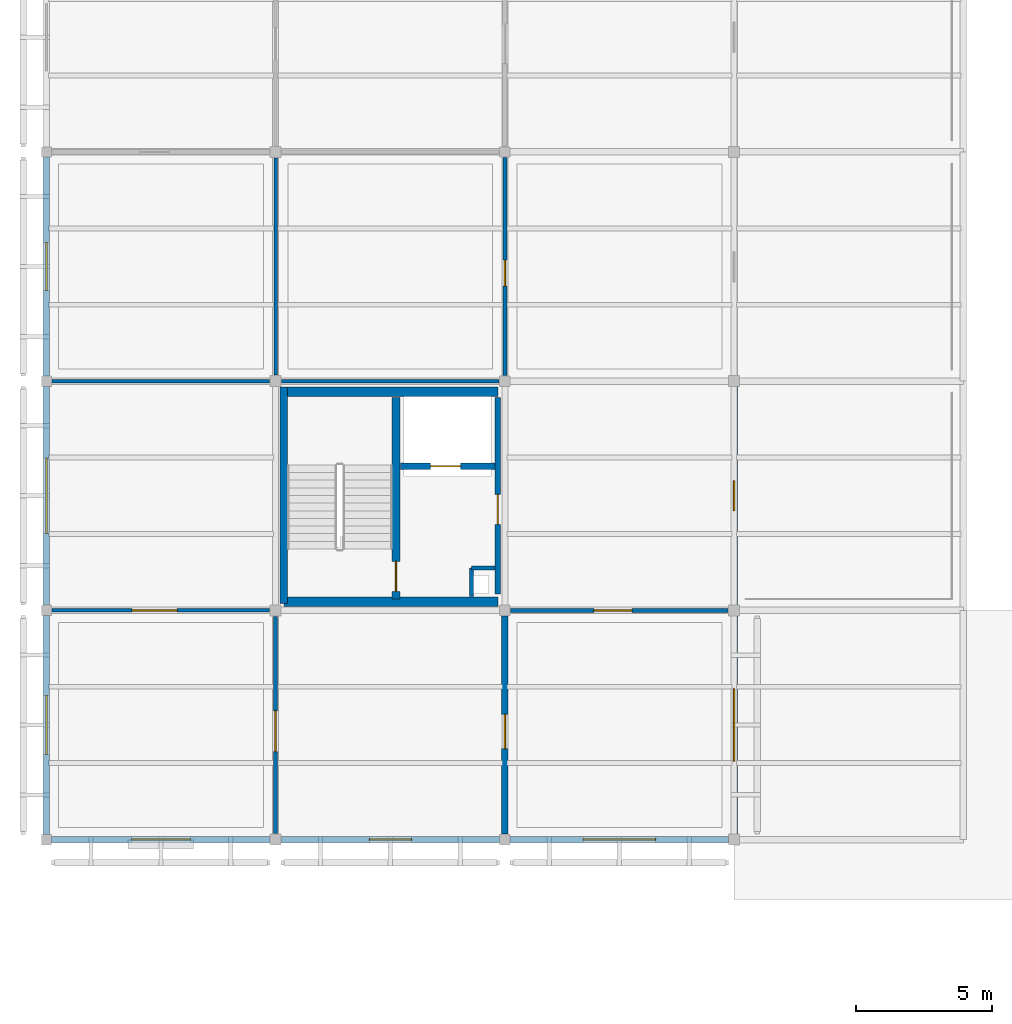
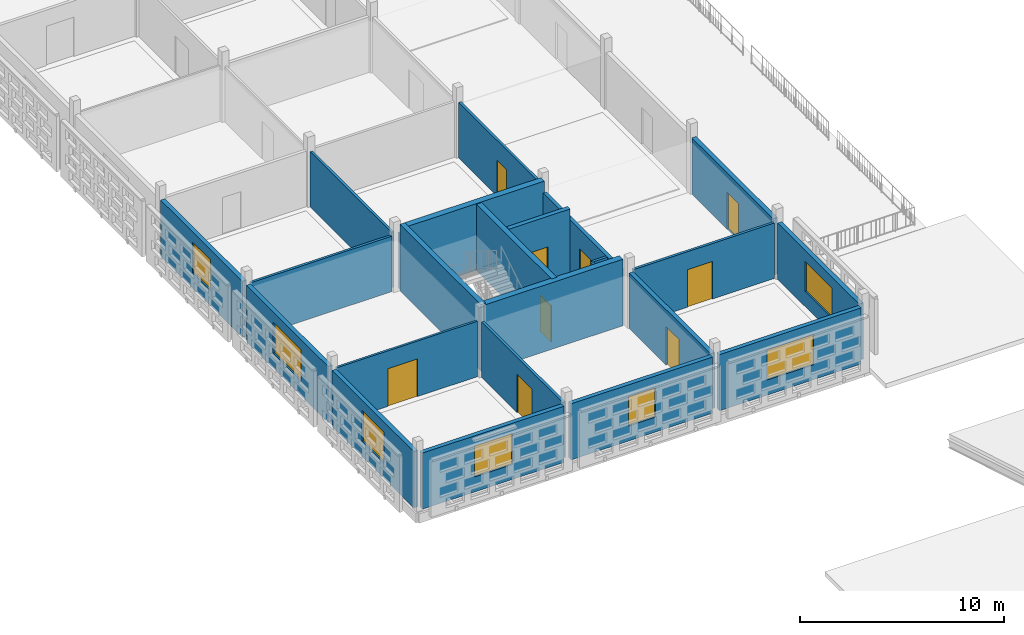
# One storey, part 18 of 31: 24 walls, 9 doors, 7 windows, 16 openings.
"""IFC4 building model written with IfcOpenShell, lengths in metres."""

from ifc_helpers import new_model, si_unit, direction, frame, frame_2d, origin, place, context, subcontext, project, spatial, rectangle, extrude, material, layer, layer_set, type_object, element, fill, save


model = new_model("IFC4")

# Units and contexts
model_context = context("Model", 3, precision=1e-05, world=origin(), true_north=direction((0.0, 1.0)))
body_context = subcontext(model_context, "Body", "Model", "MODEL_VIEW")
ifc_project = project(units=[si_unit("LENGTHUNIT", "METRE"), si_unit("AREAUNIT", "SQUARE_METRE"), si_unit("VOLUMEUNIT", "CUBIC_METRE"), si_unit("PLANEANGLEUNIT", "RADIAN"), si_unit("MASSUNIT", "GRAM", prefix="KILO")], contexts=[model_context])

# Site, building, storey
site_placement = place(None, origin())
site = spatial("IfcSite", under=ifc_project, at=site_placement, CompositionType="ELEMENT")
building_placement = place(site_placement, origin())
building = spatial("IfcBuilding", under=site, at=building_placement, Name="Varnapada Polytechnic", CompositionType="ELEMENT")
storey_placement = place(building_placement, frame((0.0, 0.0, 22.199951171875)))
storey = spatial("IfcBuildingStorey", under=building, at=storey_placement, Name="L05", CompositionType="ELEMENT", Elevation=22.199951171875)

# Wall, opening, door
ifc_material_1 = material(Name="Autoclaved Aerated Concrete Block AAC-600", Category="concrete")
ifc_layer_1 = layer(ifc_material_1, 0.199951171875)
ifc_layer_set_1 = layer_set([ifc_layer_1], Name="Autoclaved Aerated Concrete Block AAC-600")
wall_type_1 = type_object("IfcWallType", Name="Interior Wall IW-01", PredefinedType="PARTITIONING", material=ifc_layer_set_1)
wall_1_placement = place(storey_placement, frame((16.5400390625, 66.60009765625, 0.0), z_axis=(0.0, 0.0, 1.0), x_axis=(0.0, -1.0, 0.0)))
wall_1 = element("IfcWall", 1, at=wall_1_placement, inside=storey, type_object=wall_type_1, Name="L05 C2 firefighting lobby east wall", PredefinedType="PARTITIONING", context=body_context, shape_type="SweptSolid", body=[
    extrude(rectangle(XDim=7.2001953125, YDim=0.199951171875, at=frame_2d((3.60009765625, 0.0))), origin(), (0.0, 0.0, 1.0), 3.320068359375),
])
opening_1_placement = place(wall_1_placement, frame((3.550048828125, 0.0, 0.0)))
opening_1 = element("IfcOpeningElement", 2, at=opening_1_placement, cuts=wall_1, Name="Opening D-1310", PredefinedType="OPENING", context=body_context, shape_type="SweptSolid", body=[
    extrude(rectangle(XDim=1.10009765625, YDim=2.14990234375, at=frame_2d((0.550048828125, 1.074951171875))), frame((0.0, 0.10986328125, 0.0), z_axis=(0.0, -1.0, 0.0), x_axis=(1.0, 0.0, 0.0)), (0.0, 0.0, 1.0), 0.219970703125),
])
ifc_material_2 = material(Name="Galvanized Steel Z275", Category="steel")
door_type_1 = type_object("IfcDoorType", Name="Interior Door ID-01", OperationType="NOTDEFINED", PredefinedType="DOOR", material=ifc_material_2)
door_1_placement = place(opening_1_placement, frame((1.10009765625, 0.0, 0.0), z_axis=(0.0, 0.0, 1.0), x_axis=(-1.0, 0.0, 0.0)))
door_1 = element("IfcDoor", 3, at=door_1_placement, inside=storey, type_object=door_type_1, Name="L05 C2 lobby fire door D-1310", OperationType="SINGLE_SWING_RIGHT", OverallHeight=2.14990234375, OverallWidth=1.10009765625, PredefinedType="DOOR", context=body_context, shape_type="SweptSolid", body=[
    extrude(rectangle(XDim=1.10009765625, YDim=2.14990234375, at=frame_2d((0.550048828125, 1.074951171875))), frame((0.0, 0.02490234375, 0.0), z_axis=(0.0, -1.0, 0.0), x_axis=(1.0, 0.0, 0.0)), (0.0, 0.0, 1.0), 0.050048828125),
])
fill(opening_1, door_1)

# Walls
ifc_layer_2 = layer(ifc_material_1, 0.14990234375)
ifc_layer_set_2 = layer_set([ifc_layer_2], Name="Autoclaved Aerated Concrete Block AAC-600")
wall_type_2 = type_object("IfcWallType", Name="Interior Wall IW-02", PredefinedType="PARTITIONING", material=ifc_layer_set_2)
wall_2_placement = place(storey_placement, frame((15.580078125, 60.360107421875, 0.0), z_axis=(0.0, 0.0, 1.0), x_axis=(0.0, -1.0, 0.0)))
element("IfcWall", 4, at=wall_2_placement, inside=storey, type_object=wall_type_2, Name="L05 C2 riser shaft west wall", PredefinedType="PARTITIONING", context=body_context, shape_type="SweptSolid", body=[
    extrude(rectangle(XDim=1.06005859375, YDim=0.14990234375, at=frame_2d((0.530029296875, 0.0))), origin(), (0.0, 0.0, 1.0), 3.320068359375),
])
wall_3_placement = place(storey_placement, frame((15.580078125, 60.360107421875, 0.0), z_axis=(0.0, 0.0, 1.0), x_axis=(1.0, 0.0, 0.0)))
element("IfcWall", 5, at=wall_3_placement, inside=storey, type_object=wall_type_2, Name="L05 C2 riser shaft north wall", PredefinedType="PARTITIONING", context=body_context, shape_type="SweptSolid", body=[
    extrude(rectangle(XDim=0.85986328125, YDim=0.14990234375, at=frame_2d((0.429931640625, 0.0))), origin(), (0.0, 0.0, 1.0), 3.320068359375),
])

# Wall, opening, door
wall_4_placement = place(storey_placement, frame((8.39990234375, 50.6201171875, 0.0), z_axis=(0.0, 0.0, 1.0), x_axis=(0.0, 1.0, 0.0)))
wall_4 = element("IfcWall", 6, at=wall_4_placement, inside=storey, type_object=wall_type_2, Name="L05 interior partition IW-L05-00-06-V", PredefinedType="PARTITIONING", context=body_context, shape_type="SweptSolid", body=[
    extrude(rectangle(XDim=7.9599609375, YDim=0.14990234375, at=frame_2d((3.97998046875, 0.0))), origin(), (0.0, 0.0, 1.0), 3.320068359375),
])
opening_2_placement = place(wall_4_placement, frame((3.0, 0.0, 0.0)))
opening_2 = element("IfcOpeningElement", 7, at=opening_2_placement, cuts=wall_4, Name="Opening D-1314", PredefinedType="OPENING", context=body_context, shape_type="SweptSolid", body=[
    extrude(rectangle(XDim=1.5, YDim=2.300048828125, at=frame_2d((0.75, 1.14990234375))), frame((0.0, 0.0849609375, 0.0), z_axis=(0.0, -1.0, 0.0), x_axis=(1.0, 0.0, 0.0)), (0.0, 0.0, 1.0), 0.169921875),
])
door_type_2 = type_object("IfcDoorType", Name="Interior Door ID-07", OperationType="NOTDEFINED", PredefinedType="DOOR", material=ifc_material_2)
door_2_placement = place(opening_2_placement, origin())
door_2 = element("IfcDoor", 8, at=door_2_placement, inside=storey, type_object=door_type_2, Name="L05 interior room door D-1314", OperationType="SINGLE_SWING_LEFT", OverallHeight=2.300048828125, OverallWidth=1.5, PredefinedType="DOOR", context=body_context, shape_type="SweptSolid", body=[
    extrude(rectangle(XDim=1.5, YDim=2.300048828125, at=frame_2d((0.75, 1.14990234375))), frame((0.0, 0.02490234375, 0.0), z_axis=(0.0, -1.0, 0.0), x_axis=(1.0, 0.0, 0.0)), (0.0, 0.0, 1.0), 0.050048828125),
])
fill(opening_2, door_2)

ifc_material_3 = material(Name="Gypsum Plasterboard Acoustic Partition")
ifc_layer_3 = layer(ifc_material_3, 0.125)
ifc_layer_set_3 = layer_set([ifc_layer_3], Name="Gypsum Plasterboard Acoustic Partition")
wall_type_3 = type_object("IfcWallType", Name="Interior Wall IW-03", PredefinedType="PARTITIONING", material=ifc_layer_set_3)
wall_5_placement = place(storey_placement, frame((0.2099609375, 58.800048828125, 0.0), z_axis=(0.0, 0.0, 1.0), x_axis=(1.0, 0.0, 0.0)))
wall_5 = element("IfcWall", 9, at=wall_5_placement, inside=storey, type_object=wall_type_3, Name="L05 interior partition IW-L05-00-06-H", PredefinedType="PARTITIONING", context=body_context, shape_type="SweptSolid", body=[
    extrude(rectangle(XDim=7.969970703125, YDim=0.125, at=frame_2d((3.98486328125, 0.0))), origin(), (0.0, 0.0, 1.0), 3.320068359375),
])
opening_3_placement = place(wall_5_placement, frame((2.925048828125, 0.0, 0.0)))
opening_3 = element("IfcOpeningElement", 10, at=opening_3_placement, cuts=wall_5, Name="Opening D-1315", PredefinedType="OPENING", context=body_context, shape_type="SweptSolid", body=[
    extrude(rectangle(XDim=1.64990234375, YDim=2.25, at=frame_2d((0.824951171875, 1.125))), frame((0.0, 0.072509765625, 0.0), z_axis=(0.0, -1.0, 0.0), x_axis=(1.0, 0.0, 0.0)), (0.0, 0.0, 1.0), 0.14501953125),
])
ifc_material_4 = material(Name="Solid Teak Hardwood Timber", Category="wood")
door_type_3 = type_object("IfcDoorType", Name="Interior Door ID-08", OperationType="NOTDEFINED", PredefinedType="DOOR", material=ifc_material_4)
door_3_placement = place(opening_3_placement, origin())
door_3 = element("IfcDoor", 11, at=door_3_placement, inside=storey, type_object=door_type_3, Name="L05 interior room door D-1315", OperationType="SINGLE_SWING_RIGHT", OverallHeight=2.25, OverallWidth=1.64990234375, PredefinedType="DOOR", context=body_context, shape_type="SweptSolid", body=[
    extrude(rectangle(XDim=1.64990234375, YDim=2.25, at=frame_2d((0.824951171875, 1.125))), frame((0.0, 0.02490234375, 0.0), z_axis=(0.0, -1.0, 0.0), x_axis=(1.0, 0.0, 0.0)), (0.0, 0.0, 1.0), 0.050048828125),
])
fill(opening_3, door_3)

# Walls
ifc_material_5 = material(Name="Moisture-Resistant Cement Board Partition")
ifc_layer_4 = layer(ifc_material_5, 0.139892578125)
ifc_layer_set_4 = layer_set([ifc_layer_4], Name="Moisture-Resistant Cement Board Partition")
wall_type_4 = type_object("IfcWallType", Name="Interior Wall IW-04", PredefinedType="PARTITIONING", material=ifc_layer_set_4)
wall_6_placement = place(storey_placement, frame((0.2099609375, 67.199951171875, 0.0), z_axis=(0.0, 0.0, 1.0), x_axis=(1.0, 0.0, 0.0)))
element("IfcWall", 12, at=wall_6_placement, inside=storey, type_object=wall_type_4, Name="L05 interior partition IW-L05-00-07-H", PredefinedType="PARTITIONING", context=body_context, shape_type="SweptSolid", body=[
    extrude(rectangle(XDim=7.969970703125, YDim=0.139892578125, at=frame_2d((3.98486328125, 0.0))), origin(), (0.0, 0.0, 1.0), 3.320068359375),
])
wall_7_placement = place(storey_placement, frame((8.39990234375, 67.419921875, 0.0), z_axis=(0.0, 0.0, 1.0), x_axis=(0.0, 1.0, 0.0)))
element("IfcWall", 13, at=wall_7_placement, inside=storey, type_object=wall_type_4, Name="L05 interior partition IW-L05-00-08-V", PredefinedType="PARTITIONING", context=body_context, shape_type="SweptSolid", body=[
    extrude(rectangle(XDim=7.9599609375, YDim=0.139892578125, at=frame_2d((3.97998046875, 0.0))), origin(), (0.0, 0.0, 1.0), 3.320068359375),
])
wall_8_placement = place(storey_placement, frame((8.6201171875, 67.199951171875, 0.0), z_axis=(0.0, 0.0, 1.0), x_axis=(1.0, 0.0, 0.0)))
element("IfcWall", 14, at=wall_8_placement, inside=storey, type_object=wall_type_4, Name="L05 interior partition IW-L05-01-07-H", PredefinedType="PARTITIONING", context=body_context, shape_type="SweptSolid", body=[
    extrude(rectangle(XDim=7.969970703125, YDim=0.139892578125, at=frame_2d((3.98486328125, 0.0))), origin(), (0.0, 0.0, 1.0), 3.320068359375),
])

# Wall, opening, door
wall_9_placement = place(storey_placement, frame((16.800048828125, 67.409912109375, 0.0), z_axis=(0.0, 0.0, 1.0), x_axis=(0.0, 1.0, 0.0)))
wall_9 = element("IfcWall", 15, at=wall_9_placement, inside=storey, type_object=wall_type_4, Name="L05 interior partition IW-L05-01-08-V", PredefinedType="PARTITIONING", context=body_context, shape_type="SweptSolid", body=[
    extrude(rectangle(XDim=7.97998046875, YDim=0.139892578125, at=frame_2d((3.989990234375, 0.0))), origin(), (0.0, 0.0, 1.0), 3.320068359375),
])
opening_4_placement = place(wall_9_placement, frame((3.27490234375, 0.0, 0.0)))
opening_4 = element("IfcOpeningElement", 16, at=opening_4_placement, cuts=wall_9, Name="Opening D-1324", PredefinedType="OPENING", context=body_context, shape_type="SweptSolid", body=[
    extrude(rectangle(XDim=0.949951171875, YDim=2.14990234375, at=frame_2d((0.47509765625, 1.074951171875))), frame((0.0, 0.079833984375, 0.0), z_axis=(0.0, -1.0, 0.0), x_axis=(1.0, 0.0, 0.0)), (0.0, 0.0, 1.0), 0.159912109375),
])
ifc_material_6 = material(Name="Moisture-Resistant HPL Timber", Category="wood")
door_type_4 = type_object("IfcDoorType", Name="Interior Door ID-03", OperationType="NOTDEFINED", PredefinedType="DOOR", material=ifc_material_6)
door_4_placement = place(opening_4_placement, origin())
door_4 = element("IfcDoor", 17, at=door_4_placement, inside=storey, type_object=door_type_4, Name="L05 interior room door D-1324", OperationType="SINGLE_SWING_LEFT", OverallHeight=2.14990234375, OverallWidth=0.949951171875, PredefinedType="DOOR", context=body_context, shape_type="SweptSolid", body=[
    extrude(rectangle(XDim=0.949951171875, YDim=2.14990234375, at=frame_2d((0.47509765625, 1.074951171875))), frame((0.0, 0.02490234375, 0.0), z_axis=(0.0, -1.0, 0.0), x_axis=(1.0, 0.0, 0.0)), (0.0, 0.0, 1.0), 0.050048828125),
])
fill(opening_4, door_4)

ifc_material_7 = material(Name="Ceramic-Tiled Wet Laboratory Wall")
ifc_layer_5 = layer(ifc_material_7, 0.14501953125)
ifc_layer_set_5 = layer_set([ifc_layer_5], Name="Ceramic-Tiled Wet Laboratory Wall")
wall_type_5 = type_object("IfcWallType", Name="Interior Wall IW-14", PredefinedType="PARTITIONING", material=ifc_layer_set_5)
wall_10_placement = place(storey_placement, frame((17.010009765625, 58.800048828125, 0.0), z_axis=(0.0, 0.0, 1.0), x_axis=(1.0, 0.0, 0.0)))
wall_10 = element("IfcWall", 18, at=wall_10_placement, inside=storey, type_object=wall_type_5, Name="L05 interior partition IW-L05-02-06-H", PredefinedType="PARTITIONING", context=body_context, shape_type="SweptSolid", body=[
    extrude(rectangle(XDim=7.969970703125, YDim=0.14501953125, at=frame_2d((3.98486328125, 0.0))), origin(), (0.0, 0.0, 1.0), 3.320068359375),
])
opening_5_placement = place(wall_10_placement, frame((3.050048828125, 0.0, 0.0)))
opening_5 = element("IfcOpeningElement", 19, at=opening_5_placement, cuts=wall_10, Name="Opening D-1330", PredefinedType="OPENING", context=body_context, shape_type="SweptSolid", body=[
    extrude(rectangle(XDim=1.39990234375, YDim=2.25, at=frame_2d((0.699951171875, 1.125))), frame((0.0, 0.08251953125, 0.0), z_axis=(0.0, -1.0, 0.0), x_axis=(1.0, 0.0, 0.0)), (0.0, 0.0, 1.0), 0.1650390625),
])
ifc_material_8 = material(Name="Powder-Coated Aluminium 6063-T6", Category="aluminium")
door_type_5 = type_object("IfcDoorType", Name="Interior Door ID-06", OperationType="NOTDEFINED", PredefinedType="DOOR", material=ifc_material_8)
door_5_placement = place(opening_5_placement, origin())
door_5 = element("IfcDoor", 20, at=door_5_placement, inside=storey, type_object=door_type_5, Name="L05 interior room door D-1330", OperationType="SINGLE_SWING_LEFT", OverallHeight=2.25, OverallWidth=1.39990234375, PredefinedType="DOOR", context=body_context, shape_type="SweptSolid", body=[
    extrude(rectangle(XDim=1.39990234375, YDim=2.25, at=frame_2d((0.699951171875, 1.125))), frame((0.0, 0.02490234375, 0.0), z_axis=(0.0, -1.0, 0.0), x_axis=(1.0, 0.0, 0.0)), (0.0, 0.0, 1.0), 0.050048828125),
])
fill(opening_5, door_5)

ifc_material_9 = material(Name="Double-Leaf Acoustic Lecture Wall")
ifc_layer_6 = layer(ifc_material_9, 0.235107421875)
ifc_layer_set_6 = layer_set([ifc_layer_6], Name="Double-Leaf Acoustic Lecture Wall")
wall_type_6 = type_object("IfcWallType", Name="Interior Wall IW-17", PredefinedType="PARTITIONING", material=ifc_layer_set_6)
wall_11_placement = place(storey_placement, frame((16.800048828125, 50.610107421875, 0.0), z_axis=(0.0, 0.0, 1.0), x_axis=(0.0, 1.0, 0.0)))
wall_11 = element("IfcWall", 21, at=wall_11_placement, inside=storey, type_object=wall_type_6, Name="L05 interior partition IW-L05-01-06-V", PredefinedType="PARTITIONING", context=body_context, shape_type="SweptSolid", body=[
    extrude(rectangle(XDim=7.97998046875, YDim=0.235107421875, at=frame_2d((3.989990234375, 0.0))), origin(), (0.0, 0.0, 1.0), 3.320068359375),
])
opening_6_placement = place(wall_11_placement, frame((3.125, 0.0, 0.0)))
opening_6 = element("IfcOpeningElement", 22, at=opening_6_placement, cuts=wall_11, Name="Opening D-1323", PredefinedType="OPENING", context=body_context, shape_type="SweptSolid", body=[
    extrude(rectangle(XDim=1.25, YDim=2.300048828125, at=frame_2d((0.625, 1.14990234375))), frame((0.0, 0.12744140625, 0.0), z_axis=(0.0, -1.0, 0.0), x_axis=(1.0, 0.0, 0.0)), (0.0, 0.0, 1.0), 0.255126953125),
])
door_type_6 = type_object("IfcDoorType", Name="Interior Door ID-16", OperationType="NOTDEFINED", PredefinedType="DOOR", material=ifc_material_4)
door_6_placement = place(opening_6_placement, origin())
door_6 = element("IfcDoor", 23, at=door_6_placement, inside=storey, type_object=door_type_6, Name="L05 interior room door D-1323", OperationType="SINGLE_SWING_RIGHT", OverallHeight=2.300048828125, OverallWidth=1.25, PredefinedType="DOOR", context=body_context, shape_type="SweptSolid", body=[
    extrude(rectangle(XDim=1.25, YDim=2.300048828125, at=frame_2d((0.625, 1.14990234375))), frame((0.0, 0.02490234375, 0.0), z_axis=(0.0, -1.0, 0.0), x_axis=(1.0, 0.0, 0.0)), (0.0, 0.0, 1.0), 0.050048828125),
])
fill(opening_6, door_6)

# Walls
ifc_material_10 = material(Name="Concrete C40/50", Category="concrete")
ifc_layer_7 = layer(ifc_material_10, 0.35009765625)
ifc_layer_set_7 = layer_set([ifc_layer_7], Name="Concrete C40/50")
wall_type_7 = type_object("IfcWallType", Name="Interior Wall SW-01", PredefinedType="SHEAR", material=ifc_layer_set_7)
for number, where, z_axis, x_axis, name in (
    (24, (8.699951171875, 66.820068359375, 0.0), (0.0, 0.0, 1.0), (1.0, 0.0, 0.0), "L05 C2 core north shear wall"),
    (25, (16.5400390625, 59.1201171875, 0.0), (0.0, 0.0, 1.0), (-1.0, 0.0, 0.0), "L05 C2 core south shear wall"),
):
    element("IfcWall", number, at=place(storey_placement, frame(where, z_axis=z_axis, x_axis=x_axis)), inside=storey, type_object=wall_type_7, Name=name, PredefinedType="SHEAR", context=body_context, shape_type="SweptSolid", body=[
        extrude(rectangle(XDim=7.840087890625, YDim=0.35009765625, at=frame_2d((3.919921875, 0.0))), origin(), (0.0, 0.0, 1.0), 3.97998046875),
    ])

# Wall, opening, door
ifc_layer_8 = layer(ifc_material_10, 0.300048828125)
ifc_layer_set_8 = layer_set([ifc_layer_8], Name="Concrete C40/50")
wall_type_8 = type_object("IfcWallType", Name="Interior Wall SW-02", PredefinedType="SHEAR", material=ifc_layer_set_8)
wall_12_placement = place(storey_placement, frame((12.81005859375, 59.219970703125, 0.0), z_axis=(0.0, 0.0, 1.0), x_axis=(0.0, 1.0, 0.0)))
wall_12 = element("IfcWall", 26, at=wall_12_placement, inside=storey, type_object=wall_type_8, Name="L05 C2 stair-lobby dividing shear wall", PredefinedType="SHEAR", context=body_context, shape_type="SweptSolid", body=[
    extrude(rectangle(XDim=7.380126953125, YDim=0.300048828125, at=frame_2d((3.68994140625, 0.0))), origin(), (0.0, 0.0, 1.0), 3.97998046875),
])
opening_7_placement = place(wall_12_placement, frame((0.280029296875, 0.0, 0.0)))
opening_7 = element("IfcOpeningElement", 27, at=opening_7_placement, cuts=wall_12, Name="Opening D-1311", PredefinedType="OPENING", context=body_context, shape_type="SweptSolid", body=[
    extrude(rectangle(XDim=1.10009765625, YDim=2.14990234375, at=frame_2d((0.550048828125, 1.074951171875))), frame((0.0, 0.159912109375, 0.0), z_axis=(0.0, -1.0, 0.0), x_axis=(1.0, 0.0, 0.0)), (0.0, 0.0, 1.0), 0.320068359375),
])
door_7_placement = place(opening_7_placement, origin())
door_7 = element("IfcDoor", 28, at=door_7_placement, inside=storey, type_object=door_type_1, Name="L05 C2 exit stair door D-1311", OperationType="SINGLE_SWING_RIGHT", OverallHeight=2.14990234375, OverallWidth=1.10009765625, PredefinedType="DOOR", context=body_context, shape_type="SweptSolid", body=[
    extrude(rectangle(XDim=1.10009765625, YDim=2.14990234375, at=frame_2d((0.550048828125, 1.074951171875))), frame((0.0, 0.02490234375, 0.0), z_axis=(0.0, -1.0, 0.0), x_axis=(1.0, 0.0, 0.0)), (0.0, 0.0, 1.0), 0.050048828125),
])
fill(opening_7, door_7)

# Wall
ifc_layer_9 = layer(ifc_material_10, 0.280029296875)
ifc_layer_set_9 = layer_set([ifc_layer_9], Name="Concrete C40/50")
wall_type_9 = type_object("IfcWallType", Name="Interior Wall SW-04", PredefinedType="SHEAR", material=ifc_layer_set_9)
wall_13_placement = place(storey_placement, frame((8.699951171875, 59.050048828125, 0.0), z_axis=(0.0, 0.0, 1.0), x_axis=(0.0, 1.0, 0.0)))
element("IfcWall", 29, at=wall_13_placement, inside=storey, type_object=wall_type_9, Name="L05 C2 stair west shear wall", PredefinedType="SHEAR", context=body_context, shape_type="SweptSolid", body=[
    extrude(rectangle(XDim=7.93994140625, YDim=0.280029296875, at=frame_2d((3.969970703125, 0.0))), origin(), (0.0, 0.0, 1.0), 3.97998046875),
])

# Wall, opening, door
ifc_layer_10 = layer(ifc_material_10, 0.25)
ifc_layer_set_10 = layer_set([ifc_layer_10], Name="Concrete C40/50")
wall_type_10 = type_object("IfcWallType", Name="Interior Wall SW-05", PredefinedType="SHEAR", material=ifc_layer_set_10)
wall_14_placement = place(storey_placement, frame((12.97998046875, 64.080078125, 0.0), z_axis=(0.0, 0.0, 1.0), x_axis=(1.0, 0.0, 0.0)))
wall_14 = element("IfcWall", 30, at=wall_14_placement, inside=storey, type_object=wall_type_10, Name="L05 C2 lift shaft front wall", PredefinedType="SHEAR", context=body_context, shape_type="SweptSolid", body=[
    extrude(rectangle(XDim=3.4599609375, YDim=0.25, at=frame_2d((1.72998046875, 0.0))), origin(), (0.0, 0.0, 1.0), 3.97998046875),
])
opening_8_placement = place(wall_14_placement, frame((1.10009765625, 0.0, 0.0)))
opening_8 = element("IfcOpeningElement", 31, at=opening_8_placement, cuts=wall_14, Name="Opening LD-034", PredefinedType="OPENING", context=body_context, shape_type="SweptSolid", body=[
    extrude(rectangle(XDim=1.10009765625, YDim=2.14990234375, at=frame_2d((0.550048828125, 1.074951171875))), frame((0.0, 0.135009765625, 0.0), z_axis=(0.0, -1.0, 0.0), x_axis=(1.0, 0.0, 0.0)), (0.0, 0.0, 1.0), 0.27001953125),
])
ifc_material_11 = material(Name="Brushed Stainless Steel 316", Category="steel")
door_type_7 = type_object("IfcDoorType", Name="Interior Door LD-01", OperationType="NOTDEFINED", PredefinedType="DOOR", material=ifc_material_11)
door_8_placement = place(opening_8_placement, origin())
door_8 = element("IfcDoor", 32, at=door_8_placement, inside=storey, type_object=door_type_7, Name="L05 LFT-02 sliding lift landing door LD-034", OperationType="DOUBLE_DOOR_SLIDING", OverallHeight=2.14990234375, OverallWidth=1.10009765625, PredefinedType="DOOR", context=body_context, shape_type="SweptSolid", body=[
    extrude(rectangle(XDim=1.10009765625, YDim=2.14990234375, at=frame_2d((0.550048828125, 1.074951171875))), frame((0.0, 0.02490234375, 0.0), z_axis=(0.0, -1.0, 0.0), x_axis=(1.0, 0.0, 0.0)), (0.0, 0.0, 1.0), 0.050048828125),
])
fill(opening_8, door_8)

# Wall, opening, window
ifc_material_12 = material(Name="Precast concrete C40/50", Category="concrete")
ifc_layer_11 = layer(ifc_material_12, 0.239990234375)
ifc_layer_set_11 = layer_set([ifc_layer_11], Name="Precast concrete C40/50")
wall_type_11 = type_object("IfcWallType", Name="Wall EW-06", PredefinedType="SOLIDWALL", material=ifc_layer_set_11)
wall_15_placement = place(storey_placement, frame((8.199951171875, 50.39990234375, 0.0), z_axis=(0.0, 0.0, 1.0), x_axis=(-1.0, 0.0, 0.0)))
wall_15 = element("IfcWall", 33, at=wall_15_placement, inside=storey, type_object=wall_type_11, Name="L05 exterior wall EW-06 (1)", PredefinedType="SOLIDWALL", context=body_context, shape_type="SweptSolid", body=[
    extrude(rectangle(XDim=8.010009765625, YDim=0.239990234375, at=frame_2d((4.0048828125, 0.0))), origin(), (0.0, 0.0, 1.0), 3.360107421875),
])
opening_9_placement = place(wall_15_placement, frame((2.929931640625, 0.0, 0.89990234375)))
opening_9 = element("IfcOpeningElement", 34, at=opening_9_placement, cuts=wall_15, Name="Opening WN-25", PredefinedType="OPENING", context=body_context, shape_type="SweptSolid", body=[
    extrude(rectangle(XDim=2.14990234375, YDim=1.85009765625, at=frame_2d((1.074951171875, 0.925048828125))), frame((0.0, 0.1298828125, 0.0), z_axis=(0.0, -1.0, 0.0), x_axis=(1.0, 0.0, 0.0)), (0.0, 0.0, 1.0), 0.260009765625),
])
ifc_material_13 = material(Name="Double low-E laminated glass", Category="glass")
window_type_1 = type_object("IfcWindowType", Name="Window WN-25", PartitioningType="SINGLE_PANEL", PredefinedType="WINDOW", material=ifc_material_13)
window_1_placement = place(opening_9_placement, origin())
window_1 = element("IfcWindow", 35, at=window_1_placement, inside=storey, type_object=window_type_1, Name="L05 window WN-25 (231)", OverallHeight=1.85009765625, OverallWidth=2.14990234375, PartitioningType="SINGLE_PANEL", PredefinedType="WINDOW", context=body_context, shape_type="SweptSolid", body=[
    extrude(rectangle(XDim=2.14990234375, YDim=1.85009765625, at=frame_2d((1.074951171875, 0.925048828125))), frame((0.0, 0.030029296875, 0.0), z_axis=(0.0, -1.0, 0.0), x_axis=(1.0, 0.0, 0.0)), (0.0, 0.0, 1.0), 0.06005859375),
])
fill(opening_9, window_1)

wall_16_placement = place(storey_placement, frame((0.0, 50.590087890625, 0.0), z_axis=(0.0, 0.0, 1.0), x_axis=(0.0, 1.0, 0.0)))
wall_16 = element("IfcWall", 36, at=wall_16_placement, inside=storey, type_object=wall_type_11, Name="L05 exterior wall EW-06 (2)", PredefinedType="SOLIDWALL", context=body_context, shape_type="SweptSolid", body=[
    extrude(rectangle(XDim=8.02001953125, YDim=0.239990234375, at=frame_2d((4.010009765625, 0.0))), origin(), (0.0, 0.0, 1.0), 3.360107421875),
])
opening_10_placement = place(wall_16_placement, frame((2.93505859375, 0.0, 0.89990234375)))
opening_10 = element("IfcOpeningElement", 37, at=opening_10_placement, cuts=wall_16, Name="Opening WN-25", PredefinedType="OPENING", context=body_context, shape_type="SweptSolid", body=[
    extrude(rectangle(XDim=2.14990234375, YDim=1.85009765625, at=frame_2d((1.074951171875, 0.925048828125))), frame((0.0, 0.1298828125, 0.0), z_axis=(0.0, -1.0, 0.0), x_axis=(1.0, 0.0, 0.0)), (0.0, 0.0, 1.0), 0.260009765625),
])
window_2_placement = place(opening_10_placement, origin())
window_2 = element("IfcWindow", 38, at=window_2_placement, inside=storey, type_object=window_type_1, Name="L05 window WN-25 (232)", OverallHeight=1.85009765625, OverallWidth=2.14990234375, PartitioningType="SINGLE_PANEL", PredefinedType="WINDOW", context=body_context, shape_type="SweptSolid", body=[
    extrude(rectangle(XDim=2.14990234375, YDim=1.85009765625, at=frame_2d((1.074951171875, 0.925048828125))), frame((0.0, 0.030029296875, 0.0), z_axis=(0.0, -1.0, 0.0), x_axis=(1.0, 0.0, 0.0)), (0.0, 0.0, 1.0), 0.06005859375),
])
fill(opening_10, window_2)

wall_17_placement = place(storey_placement, frame((0.0, 58.989990234375, 0.0), z_axis=(0.0, 0.0, 1.0), x_axis=(0.0, 1.0, 0.0)))
wall_17 = element("IfcWall", 39, at=wall_17_placement, inside=storey, type_object=wall_type_11, Name="L05 exterior wall EW-06 (3)", PredefinedType="SOLIDWALL", context=body_context, shape_type="SweptSolid", body=[
    extrude(rectangle(XDim=8.02001953125, YDim=0.239990234375, at=frame_2d((4.010009765625, 0.0))), origin(), (0.0, 0.0, 1.0), 3.360107421875),
])
opening_11_placement = place(wall_17_placement, frame((2.635009765625, 0.0, 0.89990234375)))
opening_11 = element("IfcOpeningElement", 40, at=opening_11_placement, cuts=wall_17, Name="Opening WN-28", PredefinedType="OPENING", context=body_context, shape_type="SweptSolid", body=[
    extrude(rectangle(XDim=2.75, YDim=1.85009765625, at=frame_2d((1.375, 0.925048828125))), frame((0.0, 0.1298828125, 0.0), z_axis=(0.0, -1.0, 0.0), x_axis=(1.0, 0.0, 0.0)), (0.0, 0.0, 1.0), 0.260009765625),
])
window_type_2 = type_object("IfcWindowType", Name="Window WN-28", PartitioningType="SINGLE_PANEL", PredefinedType="WINDOW", material=ifc_material_13)
window_3_placement = place(opening_11_placement, origin())
window_3 = element("IfcWindow", 41, at=window_3_placement, inside=storey, type_object=window_type_2, Name="L05 window WN-28 (233)", OverallHeight=1.85009765625, OverallWidth=2.75, PartitioningType="SINGLE_PANEL", PredefinedType="WINDOW", context=body_context, shape_type="SweptSolid", body=[
    extrude(rectangle(XDim=2.75, YDim=1.85009765625, at=frame_2d((1.375, 0.925048828125))), frame((0.0, 0.030029296875, 0.0), z_axis=(0.0, -1.0, 0.0), x_axis=(1.0, 0.0, 0.0)), (0.0, 0.0, 1.0), 0.06005859375),
])
fill(opening_11, window_3)

wall_18_placement = place(storey_placement, frame((0.0, 67.389892578125, 0.0), z_axis=(0.0, 0.0, 1.0), x_axis=(0.0, 1.0, 0.0)))
wall_18 = element("IfcWall", 42, at=wall_18_placement, inside=storey, type_object=wall_type_11, Name="L05 exterior wall EW-06 (4)", PredefinedType="SOLIDWALL", context=body_context, shape_type="SweptSolid", body=[
    extrude(rectangle(XDim=8.02001953125, YDim=0.239990234375, at=frame_2d((4.010009765625, 0.0))), origin(), (0.0, 0.0, 1.0), 3.360107421875),
])
opening_12_placement = place(wall_18_placement, frame((3.135009765625, 0.0, 0.89990234375)))
opening_12 = element("IfcOpeningElement", 43, at=opening_12_placement, cuts=wall_18, Name="Opening WN-31", PredefinedType="OPENING", context=body_context, shape_type="SweptSolid", body=[
    extrude(rectangle(XDim=1.75, YDim=1.85009765625, at=frame_2d((0.875, 0.925048828125))), frame((0.0, 0.1298828125, 0.0), z_axis=(0.0, -1.0, 0.0), x_axis=(1.0, 0.0, 0.0)), (0.0, 0.0, 1.0), 0.260009765625),
])
window_type_3 = type_object("IfcWindowType", Name="Window WN-31", PartitioningType="SINGLE_PANEL", PredefinedType="WINDOW", material=ifc_material_13)
window_4_placement = place(opening_12_placement, origin())
window_4 = element("IfcWindow", 44, at=window_4_placement, inside=storey, type_object=window_type_3, Name="L05 window WN-31 (234)", OverallHeight=1.85009765625, OverallWidth=1.75, PartitioningType="SINGLE_PANEL", PredefinedType="WINDOW", context=body_context, shape_type="SweptSolid", body=[
    extrude(rectangle(XDim=1.75, YDim=1.85009765625, at=frame_2d((0.875, 0.925048828125))), frame((0.0, 0.030029296875, 0.0), z_axis=(0.0, -1.0, 0.0), x_axis=(1.0, 0.0, 0.0)), (0.0, 0.0, 1.0), 0.06005859375),
])
fill(opening_12, window_4)

wall_19_placement = place(storey_placement, frame((16.610107421875, 50.39990234375, 0.0), z_axis=(0.0, 0.0, 1.0), x_axis=(-1.0, 0.0, 0.0)))
wall_19 = element("IfcWall", 45, at=wall_19_placement, inside=storey, type_object=wall_type_11, Name="L05 exterior wall EW-06 (12)", PredefinedType="SOLIDWALL", context=body_context, shape_type="SweptSolid", body=[
    extrude(rectangle(XDim=8.010009765625, YDim=0.239990234375, at=frame_2d((4.0048828125, 0.0))), origin(), (0.0, 0.0, 1.0), 3.360107421875),
])
opening_13_placement = place(wall_19_placement, frame((3.22998046875, 0.0, 0.89990234375)))
opening_13 = element("IfcOpeningElement", 46, at=opening_13_placement, cuts=wall_19, Name="Opening WN-30", PredefinedType="OPENING", context=body_context, shape_type="SweptSolid", body=[
    extrude(rectangle(XDim=1.550048828125, YDim=1.75, at=frame_2d((0.77490234375, 0.875))), frame((0.0, 0.1298828125, 0.0), z_axis=(0.0, -1.0, 0.0), x_axis=(1.0, 0.0, 0.0)), (0.0, 0.0, 1.0), 0.260009765625),
])
window_type_4 = type_object("IfcWindowType", Name="Window WN-30", PartitioningType="SINGLE_PANEL", PredefinedType="WINDOW", material=ifc_material_13)
window_5_placement = place(opening_13_placement, origin())
window_5 = element("IfcWindow", 47, at=window_5_placement, inside=storey, type_object=window_type_4, Name="L05 window WN-30 (242)", OverallHeight=1.75, OverallWidth=1.550048828125, PartitioningType="SINGLE_PANEL", PredefinedType="WINDOW", context=body_context, shape_type="SweptSolid", body=[
    extrude(rectangle(XDim=1.550048828125, YDim=1.75, at=frame_2d((0.77490234375, 0.875))), frame((0.0, 0.030029296875, 0.0), z_axis=(0.0, -1.0, 0.0), x_axis=(1.0, 0.0, 0.0)), (0.0, 0.0, 1.0), 0.06005859375),
])
fill(opening_13, window_5)

wall_20_placement = place(storey_placement, frame((25.0, 50.39990234375, 0.0), z_axis=(0.0, 0.0, 1.0), x_axis=(-1.0, 0.0, 0.0)))
wall_20 = element("IfcWall", 48, at=wall_20_placement, inside=storey, type_object=wall_type_11, Name="L05 exterior wall EW-06 (14)", PredefinedType="SOLIDWALL", context=body_context, shape_type="SweptSolid", body=[
    extrude(rectangle(XDim=8.010009765625, YDim=0.239990234375, at=frame_2d((4.0048828125, 0.0))), origin(), (0.0, 0.0, 1.0), 3.360107421875),
])
opening_14_placement = place(wall_20_placement, frame((2.679931640625, 0.0, 0.89990234375)))
opening_14 = element("IfcOpeningElement", 49, at=opening_14_placement, cuts=wall_20, Name="Opening WN-35", PredefinedType="OPENING", context=body_context, shape_type="SweptSolid", body=[
    extrude(rectangle(XDim=2.64990234375, YDim=1.800048828125, at=frame_2d((1.324951171875, 0.89990234375))), frame((0.0, 0.1298828125, 0.0), z_axis=(0.0, -1.0, 0.0), x_axis=(1.0, 0.0, 0.0)), (0.0, 0.0, 1.0), 0.260009765625),
])
window_type_5 = type_object("IfcWindowType", Name="Window WN-35", PartitioningType="SINGLE_PANEL", PredefinedType="WINDOW", material=ifc_material_13)
window_6_placement = place(opening_14_placement, origin())
window_6 = element("IfcWindow", 50, at=window_6_placement, inside=storey, type_object=window_type_5, Name="L05 window WN-35 (244)", OverallHeight=1.800048828125, OverallWidth=2.64990234375, PartitioningType="SINGLE_PANEL", PredefinedType="WINDOW", context=body_context, shape_type="SweptSolid", body=[
    extrude(rectangle(XDim=2.64990234375, YDim=1.800048828125, at=frame_2d((1.324951171875, 0.89990234375))), frame((0.0, 0.030029296875, 0.0), z_axis=(0.0, -1.0, 0.0), x_axis=(1.0, 0.0, 0.0)), (0.0, 0.0, 1.0), 0.06005859375),
])
fill(opening_14, window_6)

wall_21_placement = place(storey_placement, frame((25.199951171875, 58.60009765625, 0.0), z_axis=(0.0, 0.0, 1.0), x_axis=(0.0, -1.0, 0.0)))
wall_21 = element("IfcWall", 51, at=wall_21_placement, inside=storey, type_object=wall_type_11, Name="L05 exterior wall EW-06 (15)", PredefinedType="SOLIDWALL", context=body_context, shape_type="SweptSolid", body=[
    extrude(rectangle(XDim=8.0, YDim=0.239990234375, at=frame_2d((4.0, 0.0))), origin(), (0.0, 0.0, 1.0), 3.360107421875),
])
opening_15_placement = place(wall_21_placement, frame((2.675048828125, 0.0, 0.89990234375)))
opening_15 = element("IfcOpeningElement", 52, at=opening_15_placement, cuts=wall_21, Name="Opening WN-35", PredefinedType="OPENING", context=body_context, shape_type="SweptSolid", body=[
    extrude(rectangle(XDim=2.64990234375, YDim=1.800048828125, at=frame_2d((1.324951171875, 0.89990234375))), frame((0.0, 0.1298828125, 0.0), z_axis=(0.0, -1.0, 0.0), x_axis=(1.0, 0.0, 0.0)), (0.0, 0.0, 1.0), 0.260009765625),
])
window_7_placement = place(opening_15_placement, origin())
window_7 = element("IfcWindow", 53, at=window_7_placement, inside=storey, type_object=window_type_5, Name="L05 window WN-35 (245)", OverallHeight=1.800048828125, OverallWidth=2.64990234375, PartitioningType="SINGLE_PANEL", PredefinedType="WINDOW", context=body_context, shape_type="SweptSolid", body=[
    extrude(rectangle(XDim=2.64990234375, YDim=1.800048828125, at=frame_2d((1.324951171875, 0.89990234375))), frame((0.0, 0.030029296875, 0.0), z_axis=(0.0, -1.0, 0.0), x_axis=(1.0, 0.0, 0.0)), (0.0, 0.0, 1.0), 0.06005859375),
])
fill(opening_15, window_7)

# Wall, opening, door
wall_22_placement = place(storey_placement, frame((25.199951171875, 67.0, 0.0), z_axis=(0.0, 0.0, 1.0), x_axis=(0.0, -1.0, 0.0)))
wall_22 = element("IfcWall", 54, at=wall_22_placement, inside=storey, type_object=wall_type_11, Name="L05 exterior wall EW-06 (16)", PredefinedType="SOLIDWALL", context=body_context, shape_type="SweptSolid", body=[
    extrude(rectangle(XDim=8.0, YDim=0.239990234375, at=frame_2d((4.0, 0.0))), origin(), (0.0, 0.0, 1.0), 3.360107421875),
])
opening_16_placement = place(wall_22_placement, frame((3.449951171875, 0.0, 0.0)))
opening_16 = element("IfcOpeningElement", 55, at=opening_16_placement, cuts=wall_22, Name="Opening D-053", PredefinedType="OPENING", context=body_context, shape_type="SweptSolid", body=[
    extrude(rectangle(XDim=1.10009765625, YDim=2.199951171875, at=frame_2d((0.550048828125, 1.10009765625))), frame((0.0, 0.1298828125, 0.0), z_axis=(0.0, -1.0, 0.0), x_axis=(1.0, 0.0, 0.0)), (0.0, 0.0, 1.0), 0.260009765625),
])
ifc_material_14 = material(Name="Anodised aluminium and laminated glass", Category="aluminium")
door_type_8 = type_object("IfcDoorType", Name="Exterior Door ED-03", OperationType="NOTDEFINED", PredefinedType="DOOR", material=ifc_material_14)
door_9_placement = place(opening_16_placement, origin())
door_9 = element("IfcDoor", 56, at=door_9_placement, inside=storey, type_object=door_type_8, Name="L05 roof terrace access door D-053", OperationType="SINGLE_SWING_RIGHT", OverallHeight=2.199951171875, OverallWidth=1.10009765625, PredefinedType="DOOR", context=body_context, shape_type="SweptSolid", body=[
    extrude(rectangle(XDim=1.10009765625, YDim=2.199951171875, at=frame_2d((0.550048828125, 1.10009765625))), frame((0.0, 0.02490234375, 0.0), z_axis=(0.0, -1.0, 0.0), x_axis=(1.0, 0.0, 0.0)), (0.0, 0.0, 1.0), 0.050048828125),
])
fill(opening_16, door_9)

save(model, "model.ifc")
